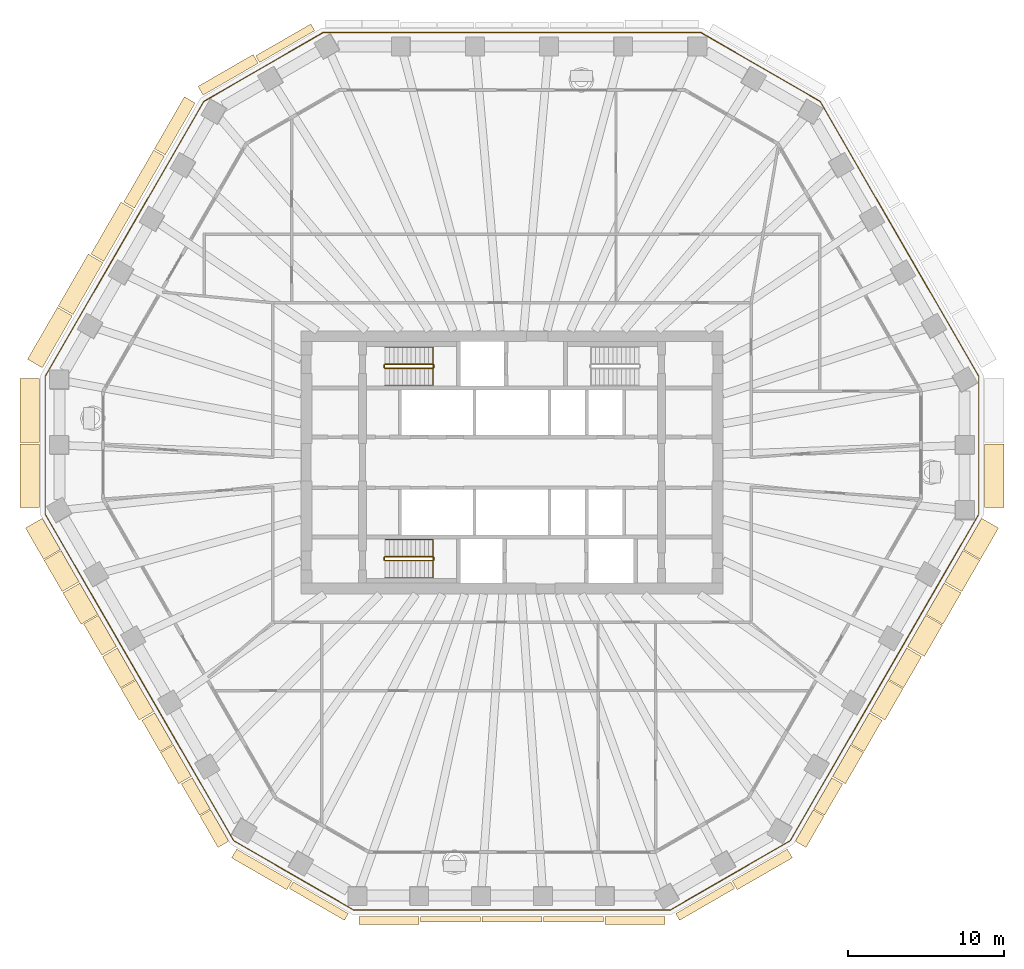
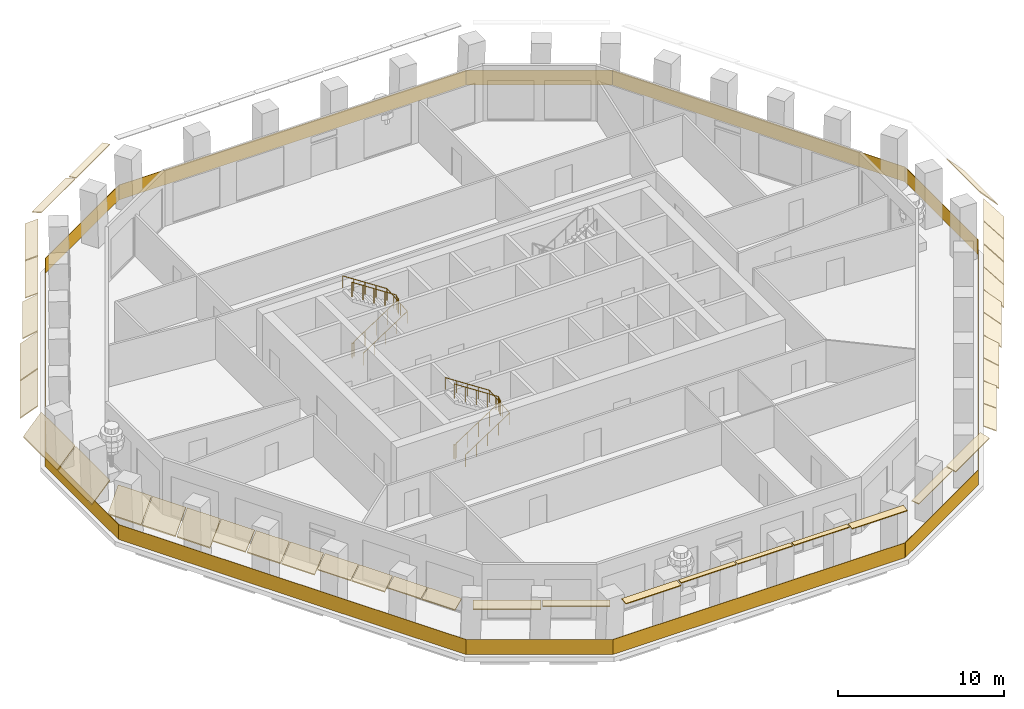
# One storey, part 9 of 12: 39 coverings, 5 railings.
"""IFC4 building model written with IfcOpenShell, lengths in metres."""

import ifcopenshell
import ifcopenshell.guid

model = None  # the IFC model being written
_history = None  # IfcOwnerHistory: only IFC2X3 demands one
_inside = {}  # id of a spatial element -> (the spatial element, [elements in it])
_under = {}  # id of a project, library or spatial element -> (it, [spatial elements below it])
_declared = {}  # id of a project -> (the project, [libraries it declares])
_typed = {}  # id of a type object -> (the type object, [elements of that type])
_made_of = {}  # id of a material, layer set ... -> (it, [elements and type objects made of it])


def new_model(schema):
    """Start an empty IFC model of exactly this schema.

    Asked for "IFC4X3", IfcOpenShell would pick the latest addendum, in which some entities
    have other attributes; the version numbers below select the first issue.
    IFC2X3 requires an IfcOwnerHistory on every rooted entity: one is made here for all.
    """
    global model, _history
    if schema == "IFC4X3":
        model = ifcopenshell.file(schema_version=(4, 3, 0, 0))
    else:
        model = ifcopenshell.file(schema=schema)
    _inside.clear()
    _under.clear()
    _declared.clear()
    _typed.clear()
    _made_of.clear()
    _history = None
    if model.schema == "IFC2X3":
        org = make("IfcOrganization", Name="unknown")
        user = make(
            "IfcPersonAndOrganization",
            ThePerson=make("IfcPerson", FamilyName="unknown"),
            TheOrganization=org,
        )
        app = make(
            "IfcApplication",
            ApplicationDeveloper=org,
            Version="unknown",
            ApplicationFullName="unknown",
            ApplicationIdentifier="unknown",
        )
        _history = make(
            "IfcOwnerHistory",
            OwningUser=user,
            OwningApplication=app,
            ChangeAction="ADDED",
            CreationDate=0,
        )
    return model


def make(cls, **values):
    """One entity of the class cls with the attributes given. An attribute that is None is left unset."""
    return model.create_entity(
        cls, **{name: value for name, value in values.items() if value is not None}
    )


def rooted(cls, **values):
    """An entity with a GlobalId (a new one), such as an element, a storey or a relation."""
    return make(cls, GlobalId=ifcopenshell.guid.new(), OwnerHistory=_history, **values)


def si_unit(unit_type, name, prefix=None):
    """IfcSIUnit, for example si_unit("LENGTHUNIT", "METRE", prefix="MILLI")."""
    return make("IfcSIUnit", UnitType=unit_type, Prefix=prefix, Name=name)


def assignment(units):
    """IfcUnitAssignment: the units of a project."""
    return None if units is None else make("IfcUnitAssignment", Units=units)


def point(xyz):
    """IfcCartesianPoint."""
    return None if xyz is None else make("IfcCartesianPoint", Coordinates=xyz)


def direction(xyz):
    """IfcDirection."""
    return None if xyz is None else make("IfcDirection", DirectionRatios=xyz)


def frame(location, z_axis=None, x_axis=None):
    """IfcAxis2Placement3D, a coordinate frame: its origin and axes. An axis left out is left unset."""
    return make(
        "IfcAxis2Placement3D",
        Location=point(location),
        Axis=direction(z_axis),
        RefDirection=direction(x_axis),
    )


def frame_2d(location, x_axis=None):
    """IfcAxis2Placement2D, a coordinate frame in the plane: its origin and x axis."""
    return make(
        "IfcAxis2Placement2D", Location=point(location), RefDirection=direction(x_axis)
    )


def origin():
    """The frame at (0, 0, 0) with its axes left unset."""
    return frame((0.0, 0.0, 0.0))


def origin_2d():
    """The frame at (0, 0) in the plane with its x axis left unset."""
    return frame_2d((0.0, 0.0))


def place(relative_to, where):
    """IfcLocalPlacement: puts the frame where relative to a parent placement (None: the world)."""
    return make(
        "IfcLocalPlacement", PlacementRelTo=relative_to, RelativePlacement=where
    )


def context(
    kind, dimensions, precision=None, world=None, true_north=None, identifier=None
):
    """IfcGeometricRepresentationContext, for example the 3D "Model" context."""
    return make(
        "IfcGeometricRepresentationContext",
        ContextIdentifier=identifier,
        ContextType=kind,
        CoordinateSpaceDimension=dimensions,
        Precision=precision,
        WorldCoordinateSystem=world,
        TrueNorth=true_north,
    )


def subcontext(parent, identifier, kind, view, scale=None):
    """IfcGeometricRepresentationSubContext, for example "Body" below "Model"."""
    return make(
        "IfcGeometricRepresentationSubContext",
        ContextIdentifier=identifier,
        ContextType=kind,
        ParentContext=parent,
        TargetScale=scale,
        TargetView=view,
    )


def project(units=None, contexts=None):
    """IfcProject with its units and contexts."""
    return rooted(
        "IfcProject",
        Name="project",
        RepresentationContexts=contexts,
        UnitsInContext=assignment(units),
    )


def spatial(cls, under=None, at=None, **own):
    """A site, building, storey or space (cls), placed at a placement, below another one or the project."""
    s = rooted(cls, ObjectPlacement=at, **own)
    if under is not None:
        _under.setdefault(under.id(), (under, []))[1].append(s)
    return s


def polyline(points):
    """IfcPolyline through the points."""
    return make("IfcPolyline", Points=[point(p) for p in points])


def profile(cls, at=None, kind="AREA", **sizes):
    """A parametric profile (cls). Its sizes go by their IFC names, for example OverallWidth=200.0."""
    return make(cls, ProfileType=kind, Position=at, **sizes)


def rectangle(**sizes):
    """IfcRectangleProfileDef."""
    return profile("IfcRectangleProfileDef", **sizes)


def circle(**sizes):
    """IfcCircleProfileDef."""
    return profile("IfcCircleProfileDef", **sizes)


def outline(outer, holes=None, kind="AREA"):
    """IfcArbitraryClosedProfileDef: a profile drawn as a closed curve; with holes, ...WithVoids."""
    if holes is None:
        return make("IfcArbitraryClosedProfileDef", ProfileType=kind, OuterCurve=outer)
    return make(
        "IfcArbitraryProfileDefWithVoids",
        ProfileType=kind,
        OuterCurve=outer,
        InnerCurves=holes,
    )


def extrude(swept, where, along, depth):
    """IfcExtrudedAreaSolid: the profile swept, set in the frame where, extruded along a direction by depth."""
    return make(
        "IfcExtrudedAreaSolid",
        SweptArea=swept,
        Position=where,
        ExtrudedDirection=direction(along),
        Depth=depth,
    )


def shape(context_of_items, identifier, shape_type, items):
    """IfcShapeRepresentation: the items that make up one representation, for example the "Body"."""
    return make(
        "IfcShapeRepresentation",
        ContextOfItems=context_of_items,
        RepresentationIdentifier=identifier,
        RepresentationType=shape_type,
        Items=items,
    )


def material(Name=None, Category=None):
    """IfcMaterial."""
    return make("IfcMaterial", Name=Name, Category=Category)


def layer(
    of_material, thickness, ventilated=None, Name=None, Category=None, Priority=None
):
    """IfcMaterialLayer: one layer of a wall or slab, of a material (None: an air gap)."""
    return make(
        "IfcMaterialLayer",
        Material=of_material,
        LayerThickness=thickness,
        IsVentilated=ventilated,
        Name=Name,
        Category=Category,
        Priority=Priority,
    )


def layer_set(layers, Name=None):
    """IfcMaterialLayerSet."""
    return make("IfcMaterialLayerSet", MaterialLayers=layers, LayerSetName=Name)


def made_of(thing, what):
    """Note that an element or type object is made of a material, layer set ...; save() writes the relation."""
    if what is not None:
        _made_of.setdefault(what.id(), (what, []))[1].append(thing)
    return thing


def type_object(cls, material=None, **own):
    """A type object (cls), such as IfcWallType, which elements share."""
    return made_of(rooted(cls, **own), material)


def element(
    cls,
    number,
    at=None,
    inside=None,
    cuts=None,
    type_object=None,
    material=None,
    context=None,
    identifier="Body",
    shape_type=None,
    held_by="IfcProductDefinitionShape",
    body=None,
    shapes=None,
    **own,
):
    """One element of the class cls, such as IfcWall. Its Tag is "e" and its number.

    at: its placement. inside: the storey or other place that contains it. cuts: it is an
    opening in that element (IfcRelVoidsElement). A single representation is given by context,
    identifier, shape_type and body (its items); several are given by shapes. held_by: the class
    of the entity that holds the representations. save() writes the other relations.
    """
    e = rooted(cls, Tag="e%d" % number, ObjectPlacement=at, **own)
    if body is not None:
        shapes = [shape(context, identifier, shape_type, body)]
    if shapes is not None:
        e.Representation = make(held_by, Representations=shapes)
    if inside is not None:
        _inside.setdefault(inside.id(), (inside, []))[1].append(e)
    if cuts is not None:
        rooted(
            "IfcRelVoidsElement", RelatingBuildingElement=cuts, RelatedOpeningElement=e
        )
    if type_object is not None:
        _typed.setdefault(type_object.id(), (type_object, []))[1].append(e)
    return made_of(e, material)


def aggregate(whole, parts):
    """IfcRelAggregates: a whole, such as a stair, and the parts it consists of."""
    return rooted("IfcRelAggregates", RelatingObject=whole, RelatedObjects=parts)


def save(model, path):
    """Write the relations noted so far, then the file.

    IfcRelAggregates (storeys below a building ...), IfcRelContainedInSpatialStructure (elements
    in a storey), IfcRelDefinesByType, IfcRelAssociatesMaterial and IfcRelDeclares: one each for
    every whole, place, type object, material and project.
    """
    for whole, parts in _under.values():
        aggregate(whole, parts)
    for where, things in _inside.values():
        rooted(
            "IfcRelContainedInSpatialStructure",
            RelatedElements=things,
            RelatingStructure=where,
        )
    for kind, things in _typed.values():
        rooted("IfcRelDefinesByType", RelatedObjects=things, RelatingType=kind)
    for what, things in _made_of.values():
        rooted("IfcRelAssociatesMaterial", RelatedObjects=things, RelatingMaterial=what)
    for by, libraries in _declared.values():
        rooted("IfcRelDeclares", RelatingContext=by, RelatedDefinitions=libraries)
    model.write(path)


model = new_model("IFC4")

# Units and contexts
model_context = context("Model", 3, precision=1e-05, world=origin(), true_north=direction((0.0, 1.0)))
body_context = subcontext(model_context, "Body", "Model", "MODEL_VIEW")
ifc_project = project(units=[si_unit("LENGTHUNIT", "METRE"), si_unit("AREAUNIT", "SQUARE_METRE"), si_unit("VOLUMEUNIT", "CUBIC_METRE"), si_unit("PLANEANGLEUNIT", "RADIAN"), si_unit("MASSUNIT", "GRAM", prefix="KILO")], contexts=[model_context])

# Site, building, storey
site_placement = place(None, origin())
site = spatial("IfcSite", under=ifc_project, at=site_placement, CompositionType="ELEMENT")
building_placement = place(site_placement, origin())
building = spatial("IfcBuilding", under=site, at=building_placement, Name="Frailejon Research Tower", CompositionType="ELEMENT")
storey_placement = place(building_placement, frame((0.0, 0.0, 180.39990234375)))
storey = spatial("IfcBuildingStorey", under=building, at=storey_placement, Name="L39", CompositionType="ELEMENT", Elevation=180.39990234375)

# Coverings
ifc_material_1 = material(Name="Precast concrete C50/60", Category="concrete")
ifc_layer_1 = layer(ifc_material_1, 0.06005859375)
ifc_layer_set_1 = layer_set([ifc_layer_1], Name="Brim blade depth 1100")
covering_type_1 = type_object("IfcCoveringType", Name="Brim blade depth 1100", PredefinedType="CLADDING", material=ifc_layer_set_1)
for number, where, z_axis, x_axis, name in (
    (1, (-28.173095703125, 9.491455078125, 4.25), (0.499983600053, 0.866034872091, 0.0), (-0.866034872091, 0.499983600053, 0.0), "Brim blade L39"),
    (2, (-30.1455078125, 6.0751953125, 4.25), (0.500002613071, 0.866023895122, 0.0), (-0.866023895122, 0.500002613071, 0.0), "Brim blade L39"),
):
    element("IfcCovering", number, at=place(storey_placement, frame(where, z_axis=z_axis, x_axis=x_axis)), inside=storey, type_object=covering_type_1, Name=name, PredefinedType="CLADDING", context=body_context, shape_type="SweptSolid", body=[
        extrude(outline(polyline([(0.0, -0.078369140625), (1.10009765625, -1.001220703125), (1.10009765625, -0.923095703125), (0.0, 0.0), (0.0, -0.078369140625)])), origin(), (0.0, 0.0, 1.0), 3.844482421875),
    ])
covering_1_placement = place(storey_placement, frame((-25.388916015625, -11.8251953125, 4.25), z_axis=(-0.499994387935, 0.866028643887, 0.0), x_axis=(-0.866028643887, -0.499994387935, 0.0)))
element("IfcCovering", 3, at=covering_1_placement, inside=storey, type_object=covering_type_1, Name="Brim blade L39", PredefinedType="CLADDING", context=body_context, shape_type="SweptSolid", body=[
    extrude(outline(polyline([(0.0, -0.078369140625), (1.10009765625, -1.001220703125), (1.10009765625, -0.923095703125), (0.0, 0.0), (0.0, -0.078369140625)])), origin(), (0.0, 0.0, 1.0), 2.3232421875),
])
for number, where, z_axis, x_axis, name in (
    (4, (-24.177001953125, -13.924072265625, 4.25), (-0.500000983108, 0.866024836186, 0.0), (-0.866024836186, -0.500000983108, 0.0), "Brim blade L39"),
    (5, (-22.9853515625, -15.988037109375, 4.25), (-0.500000983108, 0.866024836186, 0.0), (-0.866024836186, -0.500000983108, 0.0), "Brim blade L39"),
    (6, (24.147216796875, -13.97607421875, 4.25), (-0.500000983108, -0.866024836186, 0.0), (0.866024836186, -0.500000983108, 0.0), "Brim blade L39"),
    (7, (25.3388671875, -11.911865234375, 4.25), (-0.500000983108, -0.866024836186, 0.0), (0.866024836186, -0.500000983108, 0.0), "Brim blade L39"),
):
    element("IfcCovering", number, at=place(storey_placement, frame(where, z_axis=z_axis, x_axis=x_axis)), inside=storey, type_object=covering_type_1, Name=name, PredefinedType="CLADDING", context=body_context, shape_type="SweptSolid", body=[
        extrude(outline(polyline([(0.0, -0.078369140625), (1.10009765625, -1.001220703125), (1.10009765625, -0.923095703125), (0.0, 0.0), (0.0, -0.078369140625)])), origin(), (0.0, 0.0, 1.0), 2.323486328125),
    ])
ifc_material_2 = material(Name="Precast concrete C50/60", Category="concrete")
ifc_layer_2 = layer(ifc_material_2, 0.06005859375)
ifc_layer_set_2 = layer_set([ifc_layer_2], Name="Brim blade depth 1250")
covering_type_2 = type_object("IfcCoveringType", Name="Brim blade depth 1250", PredefinedType="CLADDING", material=ifc_layer_set_2)
covering_2_placement = place(storey_placement, frame((30.331298828125, 1.194580078125, 4.25), z_axis=(0.0, -1.0, 0.0), x_axis=(1.0, 0.0, 0.0)))
element("IfcCovering", 8, at=covering_2_placement, inside=storey, type_object=covering_type_2, Name="Brim blade L39", PredefinedType="CLADDING", context=body_context, shape_type="SweptSolid", body=[
    extrude(outline(polyline([(0.0, -0.0888671875), (1.25, -1.452880859375), (1.25, -1.364013671875), (0.0, 0.0), (0.0, -0.0888671875)])), origin(), (0.0, 0.0, 1.0), 4.087646484375),
])
covering_3_placement = place(storey_placement, frame((-30.331298828125, 1.29443359375, 4.25), z_axis=(0.0, 1.0, 0.0), x_axis=(-1.0, 0.0, 0.0)))
element("IfcCovering", 9, at=covering_3_placement, inside=storey, type_object=covering_type_2, Name="Brim blade L39", PredefinedType="CLADDING", context=body_context, shape_type="SweptSolid", body=[
    extrude(outline(polyline([(0.0, -0.0888671875), (1.25, -1.452880859375), (1.25, -1.364013671875), (0.0, 0.0), (0.0, -0.0888671875)])), origin(), (0.0, 0.0, 1.0), 4.08740234375),
])
covering_4_placement = place(storey_placement, frame((-30.331298828125, -2.89306640625, 4.25), z_axis=(0.0, 1.0, 0.0), x_axis=(-1.0, 0.0, 0.0)))
element("IfcCovering", 10, at=covering_4_placement, inside=storey, type_object=covering_type_2, Name="Brim blade L39", PredefinedType="CLADDING", context=body_context, shape_type="SweptSolid", body=[
    extrude(outline(polyline([(0.0, -0.0888671875), (1.25, -1.452880859375), (1.25, -1.364013671875), (0.0, 0.0), (0.0, -0.0888671875)])), origin(), (0.0, 0.0, 1.0), 4.087646484375),
])
for number, where, z_axis, x_axis, name in (
    (11, (-28.98388671875, -5.598388671875, 4.25), (-0.500000983108, 0.866024836186, 0.0), (-0.866024836186, -0.500000983108, 0.0), "Brim blade L39"),
    (12, (-27.7919921875, -7.66259765625, 4.25), (-0.500000983108, 0.866024836186, 0.0), (-0.866024836186, -0.500000983108, 0.0), "Brim blade L39"),
):
    element("IfcCovering", number, at=place(storey_placement, frame(where, z_axis=z_axis, x_axis=x_axis)), inside=storey, type_object=covering_type_2, Name=name, PredefinedType="CLADDING", context=body_context, shape_type="SweptSolid", body=[
        extrude(outline(polyline([(0.0, -0.0888671875), (1.25, -1.452880859375), (1.25, -1.364013671875), (0.0, 0.0), (0.0, -0.0888671875)])), origin(), (0.0, 0.0, 1.0), 2.323486328125),
    ])
for number, where, z_axis, x_axis, name in (
    (13, (-26.58056640625, -9.76123046875, 4.25), (-0.499994387935, 0.866028643887, 0.0), (-0.866028643887, -0.499994387935, 0.0), "Brim blade L39"),
    (14, (26.550537109375, -9.813232421875, 4.25), (-0.499994387935, -0.866028643887, 0.0), (0.866028643887, -0.499994387935, 0.0), "Brim blade L39"),
    (15, (27.7421875, -7.749267578125, 4.25), (-0.499994387935, -0.866028643887, 0.0), (0.866028643887, -0.499994387935, 0.0), "Brim blade L39"),
):
    element("IfcCovering", number, at=place(storey_placement, frame(where, z_axis=z_axis, x_axis=x_axis)), inside=storey, type_object=covering_type_2, Name=name, PredefinedType="CLADDING", context=body_context, shape_type="SweptSolid", body=[
        extrude(outline(polyline([(0.0, -0.0888671875), (1.25, -1.452880859375), (1.25, -1.364013671875), (0.0, 0.0), (0.0, -0.0888671875)])), origin(), (0.0, 0.0, 1.0), 2.3232421875),
    ])
for number, where, z_axis, x_axis, name in (
    (16, (28.953857421875, -5.650390625, 4.25), (-0.500000983108, -0.866024836186, 0.0), (0.866024836186, -0.500000983108, 0.0), "Brim blade L39"),
    (17, (30.1455078125, -3.58642578125, 4.25), (-0.500000983108, -0.866024836186, 0.0), (0.866024836186, -0.500000983108, 0.0), "Brim blade L39"),
):
    element("IfcCovering", number, at=place(storey_placement, frame(where, z_axis=z_axis, x_axis=x_axis)), inside=storey, type_object=covering_type_2, Name=name, PredefinedType="CLADDING", context=body_context, shape_type="SweptSolid", body=[
        extrude(outline(polyline([(0.0, -0.0888671875), (1.25, -1.452880859375), (1.25, -1.364013671875), (0.0, 0.0), (0.0, -0.0888671875)])), origin(), (0.0, 0.0, 1.0), 2.323486328125),
    ])
ifc_material_3 = material(Name="Precast concrete C50/60", Category="concrete")
ifc_layer_3 = layer(ifc_material_3, 0.06005859375)
ifc_layer_set_3 = layer_set([ifc_layer_3], Name="Brim blade depth 350")
covering_type_3 = type_object("IfcCoveringType", Name="Brim blade depth 350", PredefinedType="CLADDING", material=ifc_layer_set_3)
for number, where, z_axis, x_axis, name in (
    (18, (-2.022216796875, -29.14453125, 4.25), (-1.0, 0.0, 0.0), (0.0, -1.0, 0.0), "Brim blade L39"),
    (19, (1.92236328125, -29.14453125, 4.25), (-1.0, 0.0, 0.0), (0.0, -1.0, 0.0), "Brim blade L39"),
    (20, (5.86669921875, -29.14453125, 4.25), (-1.0, 0.0, 0.0), (0.0, -1.0, 0.0), "Brim blade L39"),
):
    element("IfcCovering", number, at=place(storey_placement, frame(where, z_axis=z_axis, x_axis=x_axis)), inside=storey, type_object=covering_type_3, Name=name, PredefinedType="CLADDING", context=body_context, shape_type="SweptSolid", body=[
        extrude(outline(polyline([(0.0, -0.06005859375), (0.35009765625, -0.06005859375), (0.35009765625, 0.0), (0.0, 0.0), (0.0, -0.06005859375)])), origin(), (0.0, 0.0, 1.0), 3.844482421875),
    ])
ifc_material_4 = material(Name="Precast concrete C50/60", Category="concrete")
ifc_layer_4 = layer(ifc_material_4, 0.06005859375)
ifc_layer_set_4 = layer_set([ifc_layer_4], Name="Brim blade depth 500")
covering_type_4 = type_object("IfcCoveringType", Name="Brim blade depth 500", PredefinedType="CLADDING", material=ifc_layer_set_4)
for number, where, z_axis, x_axis, name in (
    (21, (-16.2001953125, 25.67041015625, 4.25), (0.866021344981, 0.500007029989, 0.0), (-0.500007029989, 0.866021344981, 0.0), "Brim blade L39"),
    (22, (-10.504638671875, -28.958740234375, 4.25), (-0.866021344981, 0.500007029989, 0.0), (-0.500007029989, -0.866021344981, 0.0), "Brim blade L39"),
):
    element("IfcCovering", number, at=place(storey_placement, frame(where, z_axis=z_axis, x_axis=x_axis)), inside=storey, type_object=covering_type_4, Name=name, PredefinedType="CLADDING", context=body_context, shape_type="SweptSolid", body=[
        extrude(outline(polyline([(0.0, -0.060546875), (0.5, -0.130859375), (0.5, -0.0703125), (0.0, 0.0), (0.0, -0.060546875)])), origin(), (0.0, 0.0, 1.0), 4.08740234375),
    ])
for number, where, z_axis, x_axis, name in (
    (23, (-5.966796875, -29.14453125, 4.25), (-1.0, 0.0, 0.0), (0.0, -1.0, 0.0), "Brim blade L39"),
    (24, (9.811279296875, -29.14453125, 4.25), (-1.0, 0.0, 0.0), (0.0, -1.0, 0.0), "Brim blade L39"),
):
    element("IfcCovering", number, at=place(storey_placement, frame(where, z_axis=z_axis, x_axis=x_axis)), inside=storey, type_object=covering_type_4, Name=name, PredefinedType="CLADDING", context=body_context, shape_type="SweptSolid", body=[
        extrude(outline(polyline([(0.0, -0.060546875), (0.5, -0.130859375), (0.5, -0.0703125), (0.0, 0.0), (0.0, -0.060546875)])), origin(), (0.0, 0.0, 1.0), 3.844482421875),
    ])
covering_5_placement = place(storey_placement, frame((14.044677734375, -26.914794921875, 4.25), z_axis=(-0.866021344981, -0.500007029989, 0.0), x_axis=(0.500007029989, -0.866021344981, 0.0)))
element("IfcCovering", 25, at=covering_5_placement, inside=storey, type_object=covering_type_4, Name="Brim blade L39", PredefinedType="CLADDING", context=body_context, shape_type="SweptSolid", body=[
    extrude(outline(polyline([(0.0, -0.060546875), (0.5, -0.130859375), (0.5, -0.0703125), (0.0, 0.0), (0.0, -0.060546875)])), origin(), (0.0, 0.0, 1.0), 4.08740234375),
])
ifc_material_5 = material(Name="Precast concrete C50/60", Category="concrete")
ifc_layer_5 = layer(ifc_material_5, 0.06005859375)
ifc_layer_set_5 = layer_set([ifc_layer_5], Name="Brim blade depth 650")
covering_type_5 = type_object("IfcCoveringType", Name="Brim blade depth 650", PredefinedType="CLADDING", material=ifc_layer_set_5)
for number, where, z_axis, x_axis, name in (
    (26, (-19.82666015625, 23.57666015625, 4.25), (0.866021344981, 0.500007029989, 0.0), (-0.500007029989, 0.866021344981, 0.0), "Brim blade L39"),
    (27, (-14.131103515625, -26.864990234375, 4.25), (-0.866021344981, 0.500007029989, 0.0), (-0.500007029989, -0.866021344981, 0.0), "Brim blade L39"),
    (28, (17.671142578125, -24.821044921875, 4.25), (-0.866021344981, -0.500007029989, 0.0), (0.500007029989, -0.866021344981, 0.0), "Brim blade L39"),
):
    element("IfcCovering", number, at=place(storey_placement, frame(where, z_axis=z_axis, x_axis=x_axis)), inside=storey, type_object=covering_type_5, Name=name, PredefinedType="CLADDING", context=body_context, shape_type="SweptSolid", body=[
        extrude(outline(polyline([(0.0, -0.0625), (0.64990234375, -0.248779296875), (0.64990234375, -0.186279296875), (0.0, 0.0), (0.0, -0.0625)])), origin(), (0.0, 0.0, 1.0), 4.08740234375),
    ])
ifc_material_6 = material(Name="Precast concrete C50/60", Category="concrete")
ifc_layer_6 = layer(ifc_material_6, 0.06005859375)
ifc_layer_set_6 = layer_set([ifc_layer_6], Name="Brim blade depth 800")
covering_type_6 = type_object("IfcCoveringType", Name="Brim blade depth 800", PredefinedType="CLADDING", material=ifc_layer_set_6)
for number, where, z_axis, x_axis, name in (
    (29, (-22.25634765625, 19.73974609375, 4.25), (0.500013590946, 0.866017556906, 0.0), (-0.866017556906, 0.500013590946, 0.0), "Brim blade L39"),
    (30, (-24.228759765625, 16.323486328125, 4.25), (0.500002613071, 0.866023895122, 0.0), (-0.866023895122, 0.500002613071, 0.0), "Brim blade L39"),
):
    element("IfcCovering", number, at=place(storey_placement, frame(where, z_axis=z_axis, x_axis=x_axis)), inside=storey, type_object=covering_type_6, Name=name, PredefinedType="CLADDING", context=body_context, shape_type="SweptSolid", body=[
        extrude(outline(polyline([(0.0, -0.065673828125), (0.800048828125, -0.421875), (0.800048828125, -0.356201171875), (0.0, 0.0), (0.0, -0.065673828125)])), origin(), (0.0, 0.0, 1.0), 3.844482421875),
    ])
for number, where, z_axis, x_axis, name in (
    (31, (-19.370361328125, -22.24951171875, 4.25), (-0.500000983108, 0.866024836186, 0.0), (-0.866024836186, -0.500000983108, 0.0), "Brim blade L39"),
    (32, (-18.1787109375, -24.313720703125, 4.25), (-0.500000983108, 0.866024836186, 0.0), (-0.866024836186, -0.500000983108, 0.0), "Brim blade L39"),
    (33, (19.34033203125, -22.301513671875, 4.25), (-0.500000983108, -0.866024836186, 0.0), (0.866024836186, -0.500000983108, 0.0), "Brim blade L39"),
    (34, (20.531982421875, -20.2373046875, 4.25), (-0.500000983108, -0.866024836186, 0.0), (0.866024836186, -0.500000983108, 0.0), "Brim blade L39"),
):
    element("IfcCovering", number, at=place(storey_placement, frame(where, z_axis=z_axis, x_axis=x_axis)), inside=storey, type_object=covering_type_6, Name=name, PredefinedType="CLADDING", context=body_context, shape_type="SweptSolid", body=[
        extrude(outline(polyline([(0.0, -0.065673828125), (0.800048828125, -0.421875), (0.800048828125, -0.356201171875), (0.0, 0.0), (0.0, -0.065673828125)])), origin(), (0.0, 0.0, 1.0), 2.323486328125),
    ])
ifc_material_7 = material(Name="Precast concrete C50/60", Category="concrete")
ifc_layer_7 = layer(ifc_material_7, 0.06005859375)
ifc_layer_set_7 = layer_set([ifc_layer_7], Name="Brim blade depth 950")
covering_type_7 = type_object("IfcCoveringType", Name="Brim blade depth 950", PredefinedType="CLADDING", material=ifc_layer_set_7)
covering_6_placement = place(storey_placement, frame((-26.200927734375, 12.907470703125, 4.25), z_axis=(0.500002613071, 0.866023895122, 0.0), x_axis=(-0.866023895122, 0.500002613071, 0.0)))
element("IfcCovering", 35, at=covering_6_placement, inside=storey, type_object=covering_type_7, Name="Brim blade L39", PredefinedType="CLADDING", context=body_context, shape_type="SweptSolid", body=[
    extrude(outline(polyline([(0.0, -0.07080078125), (0.949951171875, -0.664306640625), (0.949951171875, -0.593505859375), (0.0, 0.0), (0.0, -0.07080078125)])), origin(), (0.0, 0.0, 1.0), 3.844482421875),
])
for number, where, z_axis, x_axis, name in (
    (36, (-21.773681640625, -18.0869140625, 4.25), (-0.500009991174, 0.866019635301, 0.0), (-0.866019635301, -0.500009991174, 0.0), "Brim blade L39"),
    (37, (-20.58203125, -20.15087890625, 4.25), (-0.500009991174, 0.866019635301, 0.0), (-0.866019635301, -0.500009991174, 0.0), "Brim blade L39"),
    (38, (21.74365234375, -18.138671875, 4.25), (-0.500009991174, -0.866019635301, 0.0), (0.866019635301, -0.500009991174, 0.0), "Brim blade L39"),
    (39, (22.935302734375, -16.07470703125, 4.25), (-0.500009991174, -0.866019635301, 0.0), (0.866019635301, -0.500009991174, 0.0), "Brim blade L39"),
):
    element("IfcCovering", number, at=place(storey_placement, frame(where, z_axis=z_axis, x_axis=x_axis)), inside=storey, type_object=covering_type_7, Name=name, PredefinedType="CLADDING", context=body_context, shape_type="SweptSolid", body=[
        extrude(outline(polyline([(0.0, -0.07080078125), (0.949951171875, -0.664306640625), (0.949951171875, -0.593505859375), (0.0, 0.0), (0.0, -0.07080078125)])), origin(), (0.0, 0.0, 1.0), 2.323486328125),
    ])

# Railings
ifc_material_8 = material(Name="Laminated glass balustrade", Category="glass")
railing_type_1 = type_object("IfcRailingType", Name="Glass guard 1100", PredefinedType="GUARDRAIL", material=ifc_material_8)
railing_1_placement = place(storey_placement, frame((29.960205078125, -3.32470703125, 0.0)))
element("IfcRailing", 40, at=railing_1_placement, inside=storey, type_object=railing_type_1, Name="Loggia guard L39", PredefinedType="GUARDRAIL", context=body_context, shape_type="SweptSolid", body=[
    extrude(rectangle(XDim=8.86181640625, YDim=0.030029296875, at=origin_2d()), frame((0.0, 4.430908203125, 0.0), z_axis=(0.0, 0.0, 1.0), x_axis=(0.0, 1.0, 0.0)), (0.0, 0.0, 1.0), 1.10009765625),
    extrude(rectangle(XDim=20.369384765625, YDim=0.030029296875, at=origin_2d()), frame((-5.09228515625, 17.68212890625, 0.0), z_axis=(0.0, 0.0, 1.0), x_axis=(-0.500005000698, 0.866022516611, 0.0)), (0.0, 0.0, 1.0), 1.10009765625),
    extrude(rectangle(XDim=8.862060546875, YDim=0.030029296875, at=origin_2d()), frame((-14.022216796875, 28.7177734375, 0.0), z_axis=(0.0, 0.0, 1.0), x_axis=(-0.86602043012, 0.50000861454, 0.0)), (0.0, 0.0, 1.0), 1.10009765625),
    extrude(rectangle(XDim=24.201171875, YDim=0.030029296875, at=origin_2d()), frame((-29.960205078125, 30.933349609375, 0.0), z_axis=(0.0, 0.0, 1.0), x_axis=(-1.0, 0.0, 0.0)), (0.0, 0.0, 1.0), 1.10009765625),
    extrude(rectangle(XDim=8.862060546875, YDim=0.030029296875, at=origin_2d()), frame((-45.898193359375, 28.7177734375, 0.0), z_axis=(0.0, 0.0, 1.0), x_axis=(-0.86602043012, -0.50000861454, 0.0)), (0.0, 0.0, 1.0), 1.10009765625),
    extrude(rectangle(XDim=20.369384765625, YDim=0.030029296875, at=origin_2d()), frame((-54.828125, 17.68212890625, 0.0), z_axis=(0.0, 0.0, 1.0), x_axis=(-0.500005000698, -0.866022516611, 0.0)), (0.0, 0.0, 1.0), 1.10009765625),
    extrude(rectangle(XDim=8.86181640625, YDim=0.030029296875, at=origin_2d()), frame((-59.92041015625, 4.430908203125, 0.0), z_axis=(0.0, 0.0, 1.0), x_axis=(0.0, -1.0, 0.0)), (0.0, 0.0, 1.0), 1.10009765625),
    extrude(rectangle(XDim=24.201416015625, YDim=0.030029296875, at=origin_2d()), frame((-53.8701171875, -10.4794921875, 0.0), z_axis=(0.0, 0.0, 1.0), x_axis=(0.500004797455, -0.866022633955, 0.0)), (0.0, 0.0, 1.0), 1.10009765625),
    extrude(rectangle(XDim=8.862060546875, YDim=0.030029296875, at=origin_2d()), frame((-43.982421875, -23.174560546875, 0.0), z_axis=(0.0, 0.0, 1.0), x_axis=(0.866013542465, -0.500020543844, 0.0)), (0.0, 0.0, 1.0), 1.10009765625),
    extrude(rectangle(XDim=20.36962890625, YDim=0.030029296875, at=origin_2d()), frame((-29.960205078125, -25.39013671875, 0.0), z_axis=(0.0, 0.0, 1.0), x_axis=(1.0, 0.0, 0.0)), (0.0, 0.0, 1.0), 1.10009765625),
    extrude(rectangle(XDim=8.862060546875, YDim=0.030029296875, at=origin_2d()), frame((-15.93798828125, -23.174560546875, 0.0), z_axis=(0.0, 0.0, 1.0), x_axis=(0.866013542465, 0.500020543844, 0.0)), (0.0, 0.0, 1.0), 1.10009765625),
    extrude(rectangle(XDim=24.131103515625, YDim=0.030029296875, at=origin_2d()), frame((-6.06787109375, -10.509765625, 0.0), z_axis=(0.0, 0.0, 1.0), x_axis=(0.500002991969, 0.866023676363, 0.0)), (0.0, 0.0, 1.0), 1.10009765625),
])
ifc_material_9 = material(Name="Stainless steel", Category="steel")
railing_type_2 = type_object("IfcRailingType", Name="Stair guard 1100", PredefinedType="GUARDRAIL", material=ifc_material_9)
railing_2_placement = place(storey_placement, frame((-8.199951171875, 6.25, 0.0)))
element("IfcRailing", 41, at=railing_2_placement, inside=storey, type_object=railing_type_2, Name="L39 ST1 stair guard 1", PredefinedType="GUARDRAIL", context=body_context, shape_type="SweptSolid", body=[
    extrude(circle(Radius=0.02392578125, at=origin_2d()), frame((0.0, 0.0, 1.076171875), z_axis=(0.0, -1.0, 0.0), x_axis=(1.0, 0.0, 0.0)), (0.0, 0.0, 1.0), 0.14990234375),
    extrude(circle(Radius=0.02392578125, at=origin_2d()), frame((0.0, -0.14990234375, 1.076171875), z_axis=(0.254653276557, -0.254653276557, 0.932900539971), x_axis=(0.707106781187, 0.707106781187, 0.0)), (0.0, 0.0, 1.0), 0.196533203125),
    extrude(circle(Radius=0.02392578125, at=origin_2d()), frame((0.050048828125, -0.199951171875, 1.25927734375), z_axis=(0.836582707638, 0.0, 0.547840645882), x_axis=(0.0, 1.0, 0.0)), (0.0, 0.0, 1.0), 3.681396484375),
    extrude(circle(Radius=0.02392578125, at=origin_2d()), frame((3.1298828125, -0.199951171875, 3.2763671875), z_axis=(0.707106781187, 0.707106781187, 0.0), x_axis=(-0.707106781187, 0.707106781187, 0.0)), (0.0, 0.0, 1.0), 0.07080078125),
    extrude(circle(Radius=0.02392578125, at=origin_2d()), frame((3.179931640625, -0.14990234375, 3.2763671875), z_axis=(0.0, 1.0, 0.0), x_axis=(-1.0, 0.0, 0.0)), (0.0, 0.0, 1.0), 0.14990234375),
    extrude(circle(Radius=0.02392578125, at=origin_2d()), frame((3.179931640625, 0.0, 3.2763671875), z_axis=(-0.254653276557, 0.254653276557, 0.932900539971), x_axis=(-0.707106781187, -0.707106781187, 0.0)), (0.0, 0.0, 1.0), 0.196533203125),
    extrude(circle(Radius=0.02392578125, at=origin_2d()), frame((3.1298828125, 0.050048828125, 3.45947265625), z_axis=(-0.836613101238, 0.0, 0.547794230379), x_axis=(0.0, -1.0, 0.0)), (0.0, 0.0, 1.0), 3.681396484375),
    extrude(circle(Radius=0.02099609375, at=origin_2d()), origin(), (0.0, 0.0, 1.0), 1.052001953125),
    extrude(circle(Radius=0.02099609375, at=origin_2d()), frame((0.0, -0.14990234375, 0.0)), (0.0, 0.0, 1.0), 1.052001953125),
    extrude(circle(Radius=0.02099609375, at=origin_2d()), frame((0.050048828125, -0.199951171875, 0.183349609375)), (0.0, 0.0, 1.0), 1.052001953125),
    extrude(circle(Radius=0.02099609375, at=origin_2d()), frame((0.820068359375, -0.199951171875, 0.6875)), (0.0, 0.0, 1.0), 1.052001953125),
    extrude(circle(Radius=0.02099609375, at=origin_2d()), frame((1.58984375, -0.199951171875, 1.19189453125)), (0.0, 0.0, 1.0), 1.052001953125),
    extrude(circle(Radius=0.02099609375, at=origin_2d()), frame((2.35986328125, -0.199951171875, 1.696044921875)), (0.0, 0.0, 1.0), 1.052001953125),
    extrude(circle(Radius=0.02099609375, at=origin_2d()), frame((3.1298828125, -0.199951171875, 2.2001953125)), (0.0, 0.0, 1.0), 1.052001953125),
    extrude(circle(Radius=0.02099609375, at=origin_2d()), frame((3.179931640625, -0.14990234375, 2.2001953125)), (0.0, 0.0, 1.0), 1.052001953125),
    extrude(circle(Radius=0.02099609375, at=origin_2d()), frame((3.179931640625, 0.0, 2.2001953125)), (0.0, 0.0, 1.0), 1.052001953125),
    extrude(circle(Radius=0.02099609375, at=origin_2d()), frame((3.1298828125, 0.050048828125, 2.383544921875)), (0.0, 0.0, 1.0), 1.052001953125),
    extrude(circle(Radius=0.02099609375, at=origin_2d()), frame((2.35986328125, 0.050048828125, 2.8876953125)), (0.0, 0.0, 1.0), 1.052001953125),
    extrude(circle(Radius=0.02099609375, at=origin_2d()), frame((1.58984375, 0.050048828125, 3.391845703125)), (0.0, 0.0, 1.0), 1.052001953125),
    extrude(circle(Radius=0.02099609375, at=origin_2d()), frame((0.820068359375, 0.050048828125, 3.89599609375)), (0.0, 0.0, 1.0), 1.052001953125),
    extrude(circle(Radius=0.02099609375, at=origin_2d()), frame((0.050048828125, 0.050048828125, 4.400146484375)), (0.0, 0.0, 1.0), 1.052001953125),
])
railing_3_placement = place(storey_placement, frame((-8.199951171875, -6.10009765625, 0.0)))
element("IfcRailing", 42, at=railing_3_placement, inside=storey, type_object=railing_type_2, Name="L39 ST2 stair guard 1", PredefinedType="GUARDRAIL", context=body_context, shape_type="SweptSolid", body=[
    extrude(circle(Radius=0.02392578125, at=origin_2d()), frame((0.0, 0.0, 1.076171875), z_axis=(0.0, -1.0, 0.0), x_axis=(1.0, 0.0, 0.0)), (0.0, 0.0, 1.0), 0.14990234375),
    extrude(circle(Radius=0.02392578125, at=origin_2d()), frame((0.0, -0.14990234375, 1.076171875), z_axis=(0.254653276557, -0.254653276557, 0.932900539971), x_axis=(0.707106781187, 0.707106781187, 0.0)), (0.0, 0.0, 1.0), 0.196533203125),
    extrude(circle(Radius=0.02392578125, at=origin_2d()), frame((0.050048828125, -0.199951171875, 1.25927734375), z_axis=(0.836582707638, 0.0, 0.547840645882), x_axis=(0.0, 1.0, 0.0)), (0.0, 0.0, 1.0), 3.681396484375),
    extrude(circle(Radius=0.02392578125, at=origin_2d()), frame((3.1298828125, -0.199951171875, 3.2763671875), z_axis=(0.707106781187, 0.707106781187, 0.0), x_axis=(-0.707106781187, 0.707106781187, 0.0)), (0.0, 0.0, 1.0), 0.07080078125),
    extrude(circle(Radius=0.02392578125, at=origin_2d()), frame((3.179931640625, -0.14990234375, 3.2763671875), z_axis=(0.0, 1.0, 0.0), x_axis=(-1.0, 0.0, 0.0)), (0.0, 0.0, 1.0), 0.14990234375),
    extrude(circle(Radius=0.02392578125, at=origin_2d()), frame((3.179931640625, 0.0, 3.2763671875), z_axis=(-0.254653276557, 0.254653276557, 0.932900539971), x_axis=(-0.707106781187, -0.707106781187, 0.0)), (0.0, 0.0, 1.0), 0.196533203125),
    extrude(circle(Radius=0.02392578125, at=origin_2d()), frame((3.1298828125, 0.050048828125, 3.45947265625), z_axis=(-0.836613101238, 0.0, 0.547794230379), x_axis=(0.0, -1.0, 0.0)), (0.0, 0.0, 1.0), 3.681396484375),
    extrude(circle(Radius=0.02099609375, at=origin_2d()), origin(), (0.0, 0.0, 1.0), 1.052001953125),
    extrude(circle(Radius=0.02099609375, at=origin_2d()), frame((0.0, -0.14990234375, 0.0)), (0.0, 0.0, 1.0), 1.052001953125),
    extrude(circle(Radius=0.02099609375, at=origin_2d()), frame((0.050048828125, -0.199951171875, 0.183349609375)), (0.0, 0.0, 1.0), 1.052001953125),
    extrude(circle(Radius=0.02099609375, at=origin_2d()), frame((0.820068359375, -0.199951171875, 0.6875)), (0.0, 0.0, 1.0), 1.052001953125),
    extrude(circle(Radius=0.02099609375, at=origin_2d()), frame((1.58984375, -0.199951171875, 1.19189453125)), (0.0, 0.0, 1.0), 1.052001953125),
    extrude(circle(Radius=0.02099609375, at=origin_2d()), frame((2.35986328125, -0.199951171875, 1.696044921875)), (0.0, 0.0, 1.0), 1.052001953125),
    extrude(circle(Radius=0.02099609375, at=origin_2d()), frame((3.1298828125, -0.199951171875, 2.2001953125)), (0.0, 0.0, 1.0), 1.052001953125),
    extrude(circle(Radius=0.02099609375, at=origin_2d()), frame((3.179931640625, -0.14990234375, 2.2001953125)), (0.0, 0.0, 1.0), 1.052001953125),
    extrude(circle(Radius=0.02099609375, at=origin_2d()), frame((3.179931640625, 0.0, 2.2001953125)), (0.0, 0.0, 1.0), 1.052001953125),
    extrude(circle(Radius=0.02099609375, at=origin_2d()), frame((3.1298828125, 0.050048828125, 2.383544921875)), (0.0, 0.0, 1.0), 1.052001953125),
    extrude(circle(Radius=0.02099609375, at=origin_2d()), frame((2.35986328125, 0.050048828125, 2.8876953125)), (0.0, 0.0, 1.0), 1.052001953125),
    extrude(circle(Radius=0.02099609375, at=origin_2d()), frame((1.58984375, 0.050048828125, 3.391845703125)), (0.0, 0.0, 1.0), 1.052001953125),
    extrude(circle(Radius=0.02099609375, at=origin_2d()), frame((0.820068359375, 0.050048828125, 3.89599609375)), (0.0, 0.0, 1.0), 1.052001953125),
    extrude(circle(Radius=0.02099609375, at=origin_2d()), frame((0.050048828125, 0.050048828125, 4.400146484375)), (0.0, 0.0, 1.0), 1.052001953125),
])
ifc_material_10 = material(Name="Stainless steel", Category="steel")
railing_type_3 = type_object("IfcRailingType", Name="Stair handrail 900", PredefinedType="HANDRAIL", material=ifc_material_10)
railing_4_placement = place(storey_placement, frame((-8.14990234375, 4.949951171875, 0.183349609375)))
element("IfcRailing", 43, at=railing_4_placement, inside=storey, type_object=railing_type_3, Name="L39 ST1 stair handrail 1", PredefinedType="HANDRAIL", context=body_context, shape_type="SweptSolid", body=[
    extrude(circle(Radius=0.02392578125, at=origin_2d()), frame((0.0, 0.0, 0.8759765625), z_axis=(0.836582707638, 0.0, 0.547840645882), x_axis=(0.0, 1.0, 0.0)), (0.0, 0.0, 1.0), 3.681396484375),
    extrude(circle(Radius=0.02392578125, at=origin_2d()), frame((3.079833984375, 0.0, 2.892578125), z_axis=(0.0, 0.99721134034, 0.074629368868), x_axis=(-1.0, 0.0, 0.0)), (0.0, 0.0, 1.0), 2.456787109375),
    extrude(circle(Radius=0.02392578125, at=origin_2d()), frame((3.079833984375, 2.449951171875, 3.076171875), z_axis=(-0.836613101238, 0.0, 0.547794230379), x_axis=(0.0, -1.0, 0.0)), (0.0, 0.0, 1.0), 3.681396484375),
    extrude(circle(Radius=0.02099609375, at=origin_2d()), origin(), (0.0, 0.0, 1.0), 0.851806640625),
    extrude(circle(Radius=0.02099609375, at=origin_2d()), frame((0.77001953125, 0.0, 0.504150390625)), (0.0, 0.0, 1.0), 0.851806640625),
    extrude(circle(Radius=0.02099609375, at=origin_2d()), frame((1.5400390625, 0.0, 1.00830078125)), (0.0, 0.0, 1.0), 0.851806640625),
    extrude(circle(Radius=0.02099609375, at=origin_2d()), frame((2.309814453125, 0.0, 1.5126953125)), (0.0, 0.0, 1.0), 0.851806640625),
    extrude(circle(Radius=0.02099609375, at=origin_2d()), frame((3.079833984375, 0.0, 2.016845703125)), (0.0, 0.0, 1.0), 0.851806640625),
    extrude(circle(Radius=0.02099609375, at=origin_2d()), frame((3.079833984375, 0.816650390625, 2.077880859375)), (0.0, 0.0, 1.0), 0.851806640625),
    extrude(circle(Radius=0.02099609375, at=origin_2d()), frame((3.079833984375, 1.63330078125, 2.13916015625)), (0.0, 0.0, 1.0), 0.851806640625),
    extrude(circle(Radius=0.02099609375, at=origin_2d()), frame((3.079833984375, 2.449951171875, 2.2001953125)), (0.0, 0.0, 1.0), 0.851806640625),
    extrude(circle(Radius=0.02099609375, at=origin_2d()), frame((2.309814453125, 2.449951171875, 2.704345703125)), (0.0, 0.0, 1.0), 0.851806640625),
    extrude(circle(Radius=0.02099609375, at=origin_2d()), frame((1.5400390625, 2.449951171875, 3.20849609375)), (0.0, 0.0, 1.0), 0.851806640625),
    extrude(circle(Radius=0.02099609375, at=origin_2d()), frame((0.77001953125, 2.449951171875, 3.712646484375)), (0.0, 0.0, 1.0), 0.851806640625),
    extrude(circle(Radius=0.02099609375, at=origin_2d()), frame((0.0, 2.449951171875, 4.216796875)), (0.0, 0.0, 1.0), 0.851806640625),
])
railing_5_placement = place(storey_placement, frame((-8.14990234375, -7.39990234375, 0.183349609375)))
element("IfcRailing", 44, at=railing_5_placement, inside=storey, type_object=railing_type_3, Name="L39 ST2 stair handrail 1", PredefinedType="HANDRAIL", context=body_context, shape_type="SweptSolid", body=[
    extrude(circle(Radius=0.02392578125, at=origin_2d()), frame((0.0, 0.0, 0.8759765625), z_axis=(0.836582707638, 0.0, 0.547840645882), x_axis=(0.0, 1.0, 0.0)), (0.0, 0.0, 1.0), 3.681396484375),
    extrude(circle(Radius=0.02392578125, at=origin_2d()), frame((3.079833984375, 0.0, 2.892578125), z_axis=(0.0, 0.99721134034, 0.074629368868), x_axis=(-1.0, 0.0, 0.0)), (0.0, 0.0, 1.0), 2.456787109375),
    extrude(circle(Radius=0.02392578125, at=origin_2d()), frame((3.079833984375, 2.449951171875, 3.076171875), z_axis=(-0.836613101238, 0.0, 0.547794230379), x_axis=(0.0, -1.0, 0.0)), (0.0, 0.0, 1.0), 3.681396484375),
    extrude(circle(Radius=0.02099609375, at=origin_2d()), origin(), (0.0, 0.0, 1.0), 0.851806640625),
    extrude(circle(Radius=0.02099609375, at=origin_2d()), frame((0.77001953125, 0.0, 0.504150390625)), (0.0, 0.0, 1.0), 0.851806640625),
    extrude(circle(Radius=0.02099609375, at=origin_2d()), frame((1.5400390625, 0.0, 1.00830078125)), (0.0, 0.0, 1.0), 0.851806640625),
    extrude(circle(Radius=0.02099609375, at=origin_2d()), frame((2.309814453125, 0.0, 1.5126953125)), (0.0, 0.0, 1.0), 0.851806640625),
    extrude(circle(Radius=0.02099609375, at=origin_2d()), frame((3.079833984375, 0.0, 2.016845703125)), (0.0, 0.0, 1.0), 0.851806640625),
    extrude(circle(Radius=0.02099609375, at=origin_2d()), frame((3.079833984375, 0.816650390625, 2.077880859375)), (0.0, 0.0, 1.0), 0.851806640625),
    extrude(circle(Radius=0.02099609375, at=origin_2d()), frame((3.079833984375, 1.63330078125, 2.13916015625)), (0.0, 0.0, 1.0), 0.851806640625),
    extrude(circle(Radius=0.02099609375, at=origin_2d()), frame((3.079833984375, 2.449951171875, 2.2001953125)), (0.0, 0.0, 1.0), 0.851806640625),
    extrude(circle(Radius=0.02099609375, at=origin_2d()), frame((2.309814453125, 2.449951171875, 2.704345703125)), (0.0, 0.0, 1.0), 0.851806640625),
    extrude(circle(Radius=0.02099609375, at=origin_2d()), frame((1.5400390625, 2.449951171875, 3.20849609375)), (0.0, 0.0, 1.0), 0.851806640625),
    extrude(circle(Radius=0.02099609375, at=origin_2d()), frame((0.77001953125, 2.449951171875, 3.712646484375)), (0.0, 0.0, 1.0), 0.851806640625),
    extrude(circle(Radius=0.02099609375, at=origin_2d()), frame((0.0, 2.449951171875, 4.216796875)), (0.0, 0.0, 1.0), 0.851806640625),
])

save(model, "model.ifc")
